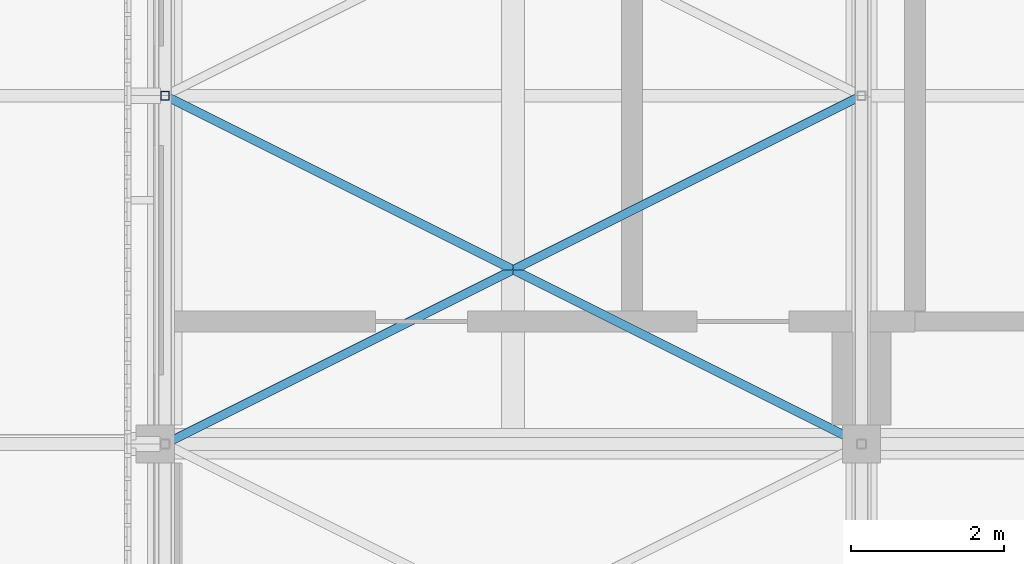
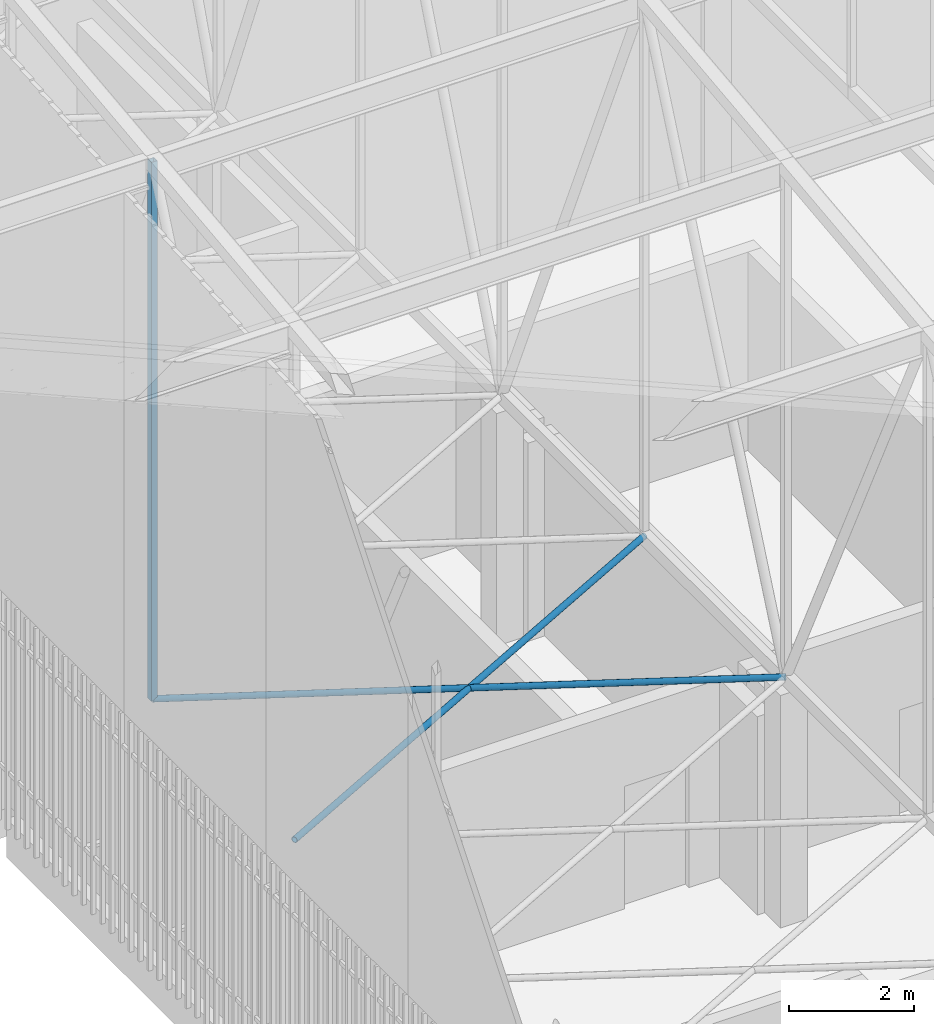
# One storey, part 16 of 500: 3 members.
"""IFC4 building model written with IfcOpenShell, lengths in metres."""

from ifc_helpers import new_model, si_unit, direction, frame, origin, origin_2d, place, context, subcontext, project, spatial, hollow_rectangle, hollow_circle, extrude, material, material_profile, profile_set, type_object, element, save


model = new_model("IFC4")

# Units and contexts
model_context = context("Model", 3, precision=1e-05, world=origin(), true_north=direction((0.0, 1.0)))
body_context = subcontext(model_context, "Body", "Model", "MODEL_VIEW")
ifc_project = project(units=[si_unit("LENGTHUNIT", "METRE"), si_unit("AREAUNIT", "SQUARE_METRE"), si_unit("VOLUMEUNIT", "CUBIC_METRE"), si_unit("PLANEANGLEUNIT", "RADIAN"), si_unit("MASSUNIT", "GRAM", prefix="KILO")], contexts=[model_context])

# Site, building, storey
site_placement = place(None, origin())
site = spatial("IfcSite", under=ifc_project, at=site_placement, CompositionType="ELEMENT")
building_placement = place(site_placement, origin())
building = spatial("IfcBuilding", under=site, at=building_placement, Name="Shirokan Park Arena", CompositionType="ELEMENT")
storey_placement = place(building_placement, frame((0.0, 0.0, 29.1201171875)))
storey = spatial("IfcBuildingStorey", under=building, at=storey_placement, Name="L06", CompositionType="ELEMENT", Elevation=29.1201171875)

# Members
ifc_material = material(Name="Steel ASTM A500 Grade C", Category="steel")
ifc_material_profile_1 = material_profile(ifc_material, hollow_circle(Radius=0.056884765625, WallThickness=0.006103515625, at=origin_2d()), Name="HSS114.3X6")
ifc_profile_set_1 = profile_set([ifc_material_profile_1], Name="Steel ASTM A500 Grade C")
member_type_1 = type_object("IfcMemberType", Name="Plan bracing HSS114.3X6", PredefinedType="BRACE", material=ifc_profile_set_1)
for number, where, z_axis, x_axis, name in (
    (1, (0.0, 18.199951171875, 4.677001953125), (0.894427191, 0.4472135955, 0.0), (-0.4472135955, 0.894427191, 0.0), "Plan bracing bay 1 panel 7 A"),
    (2, (9.10009765625, 18.199951171875, 4.677001953125), (-0.894427191, 0.4472135955, 0.0), (-0.4472135955, -0.894427191, 0.0), "Plan bracing bay 1 panel 7 B"),
):
    element("IfcMember", number, at=place(storey_placement, frame(where, z_axis=z_axis, x_axis=x_axis)), inside=storey, type_object=member_type_1, Name=name, PredefinedType="BRACE", context=body_context, shape_type="SweptSolid", body=[
        extrude(hollow_circle(Radius=0.056884765625, WallThickness=0.006103515625, at=origin_2d()), origin(), (0.0, 0.0, 1.0), 10.17431640625),
    ])
ifc_material_profile_2 = material_profile(ifc_material, hollow_rectangle(XDim=0.114013671875, YDim=0.114013671875, WallThickness=0.00634765625, at=origin_2d()), Name="HSS114.3X114.3X6.4")
ifc_profile_set_2 = profile_set([ifc_material_profile_2], Name="Steel ASTM A500 Grade C")
member_type_2 = type_object("IfcMemberType", Name="Truss post HSS114.3X114.3X6.4", PredefinedType="POST", material=ifc_profile_set_2)
member_placement = place(storey_placement, frame((0.0, 22.75, 4.677001953125), z_axis=(0.0, 0.0, 1.0), x_axis=(1.0, 0.0, 0.0)))
element("IfcMember", 3, at=member_placement, inside=storey, type_object=member_type_2, Name="Truss T01 post 8", PredefinedType="POST", context=body_context, shape_type="SweptSolid", body=[
    extrude(hollow_rectangle(XDim=0.114013671875, YDim=0.114013671875, WallThickness=0.00634765625, at=origin_2d()), origin(), (0.0, 0.0, 1.0), 10.5458984375),
])

save(model, "model.ifc")
